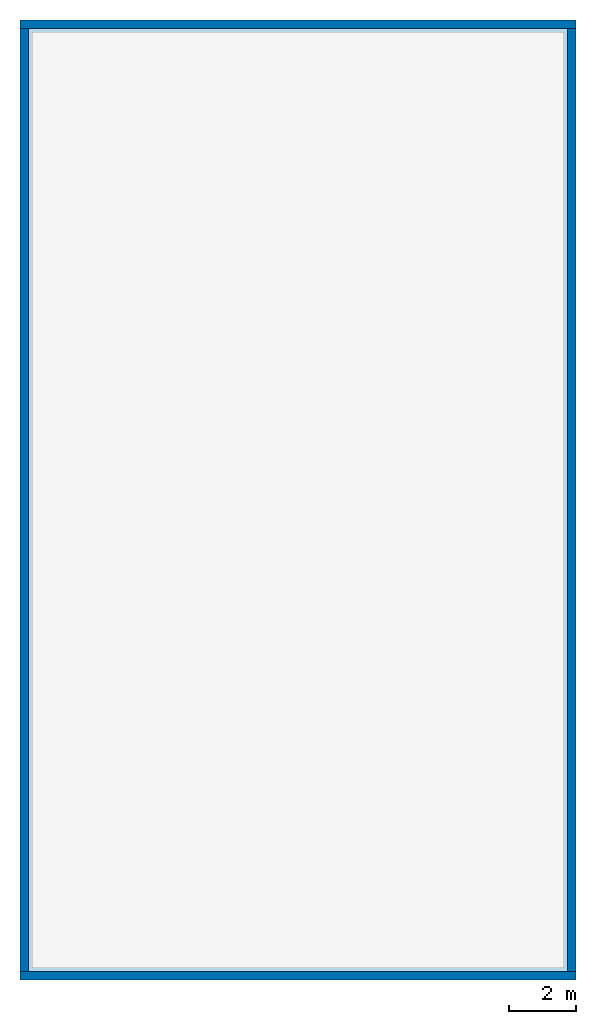
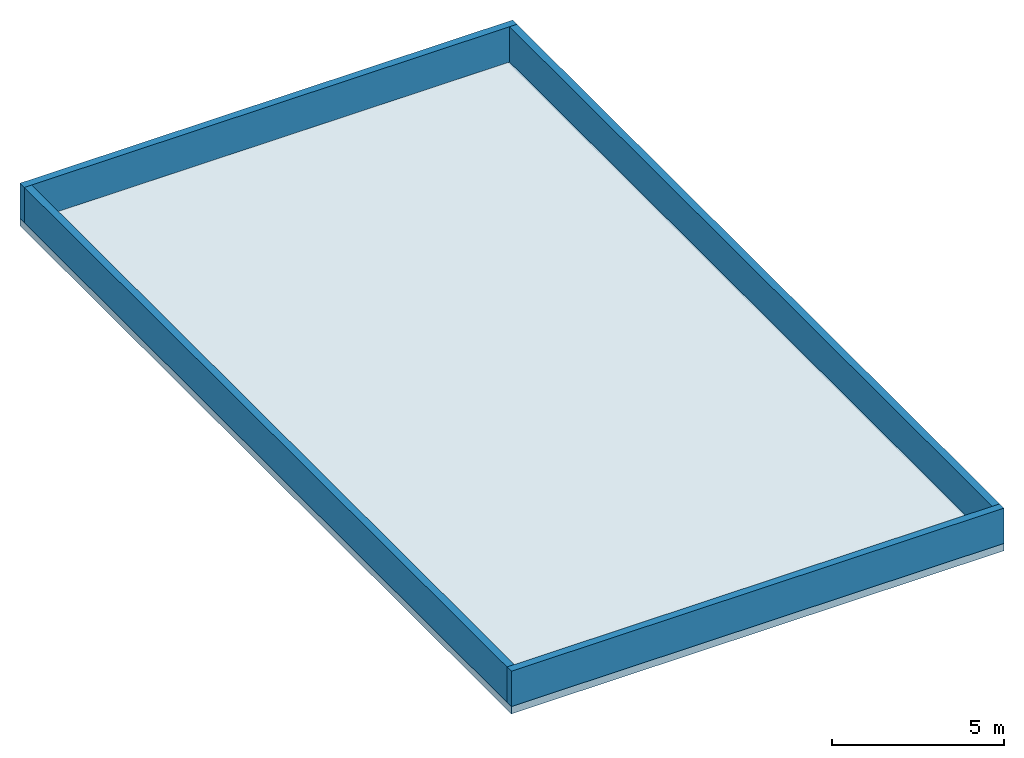
# One storey, part 1 of 2: 4 walls, 1 slab.
"""IFC4 building model written with IfcOpenShell, lengths in metres."""

from ifc_helpers import new_model, si_unit, direction, frame, frame_2d, origin, place, context, subcontext, project, spatial, polyline, rectangle, outline, extrude, source, transform, mapped, material, layer, layer_set, type_object, element, save


model = new_model("IFC4")

# Units and contexts
model_context = context("Model", 3, precision=1e-05, world=origin(), true_north=direction((0.0, 1.0)))
body_context = subcontext(model_context, "Body", "Model", "MODEL_VIEW")
ifc_project = project(units=[si_unit("LENGTHUNIT", "METRE"), si_unit("AREAUNIT", "SQUARE_METRE"), si_unit("VOLUMEUNIT", "CUBIC_METRE"), si_unit("PLANEANGLEUNIT", "RADIAN"), si_unit("MASSUNIT", "GRAM", prefix="KILO")], contexts=[model_context])

# Site, building, storey
site_placement = place(None, origin())
site = spatial("IfcSite", under=ifc_project, at=site_placement, CompositionType="ELEMENT")
building_placement = place(site_placement, origin())
building = spatial("IfcBuilding", under=site, at=building_placement, Name="Kharzan Plaza Tower", CompositionType="ELEMENT")
storey_placement = place(building_placement, frame((0.0, 0.0, 302.39990234375)))
storey = spatial("IfcBuildingStorey", under=building, at=storey_placement, Name="RF", CompositionType="ELEMENT", Elevation=302.39990234375)

# Slab
ifc_material = material(Name="Concrete C40/50", Category="concrete")
ifc_layer_1 = layer(ifc_material, 0.260009765625)
ifc_layer_set_1 = layer_set([ifc_layer_1], Name="Concrete C40/50")
slab_type = type_object("IfcSlabType", Name="SL-ROOF-260", PredefinedType="ROOF", material=ifc_layer_set_1)
slab_placement = place(storey_placement, frame((0.0, 0.0, -0.260009765625)))
element("IfcSlab", 1, at=slab_placement, inside=storey, type_object=slab_type, Name="RF Closed Lantern Crown Roof Slab 260 mm", PredefinedType="ROOF", context=body_context, shape_type="SweptSolid", body=[
    extrude(outline(polyline([(3.0, 5.0), (19.5, 5.0), (19.5, 33.5), (3.0, 33.5), (3.0, 5.0)])), origin(), (0.0, 0.0, 1.0), 0.260009765625),
])

# Walls
ifc_layer_2 = layer(ifc_material, 0.25)
ifc_layer_set_2 = layer_set([ifc_layer_2], Name="Concrete C40/50")
wall_type = type_object("IfcWallType", Name="WL-PARAPET-250", PredefinedType="PARAPET", material=ifc_layer_set_2)
shared_shape_1 = source(origin(), body_context, "Body", "SweptSolid", [
    extrude(rectangle(XDim=16.5, YDim=0.25, at=frame_2d((8.25, 0.0))), origin(), (0.0, 0.0, 1.0), 1.25),
])
for number, where, z_axis, x_axis, name in (
    (2, (3.0, 5.125, 0.0), (0.0, 0.0, 1.0), (1.0, 0.0, 0.0), "RF Crown Roof Perimeter Parapet 1"),
    (3, (19.5, 33.375, 0.0), (0.0, 0.0, 1.0), (-1.0, 0.0, 0.0), "RF Crown Roof Perimeter Parapet 3"),
):
    element("IfcWall", number, at=place(storey_placement, frame(where, z_axis=z_axis, x_axis=x_axis)), inside=storey, type_object=wall_type, Name=name, PredefinedType="PARAPET", context=body_context, shape_type="MappedRepresentation", body=[
        mapped(shared_shape_1, transform((0.0, 0.0, 0.0), x_axis=(1.0, 0.0, 0.0), y_axis=(0.0, 1.0, 0.0), z_axis=(0.0, 0.0, 1.0))),
    ])
shared_shape_2 = source(origin(), body_context, "Body", "SweptSolid", [
    extrude(rectangle(XDim=28.5, YDim=0.25, at=frame_2d((14.25, 0.0))), origin(), (0.0, 0.0, 1.0), 1.25),
])
for number, where, z_axis, x_axis, name in (
    (4, (19.375, 5.0, 0.0), (0.0, 0.0, 1.0), (0.0, 1.0, 0.0), "RF Crown Roof Perimeter Parapet 2"),
    (5, (3.125, 33.5, 0.0), (0.0, 0.0, 1.0), (0.0, -1.0, 0.0), "RF Crown Roof Perimeter Parapet 4"),
):
    element("IfcWall", number, at=place(storey_placement, frame(where, z_axis=z_axis, x_axis=x_axis)), inside=storey, type_object=wall_type, Name=name, PredefinedType="PARAPET", context=body_context, shape_type="MappedRepresentation", body=[
        mapped(shared_shape_2, transform((0.0, 0.0, 0.0), x_axis=(1.0, 0.0, 0.0), y_axis=(0.0, 1.0, 0.0), z_axis=(0.0, 0.0, 1.0))),
    ])

save(model, "model.ifc")
